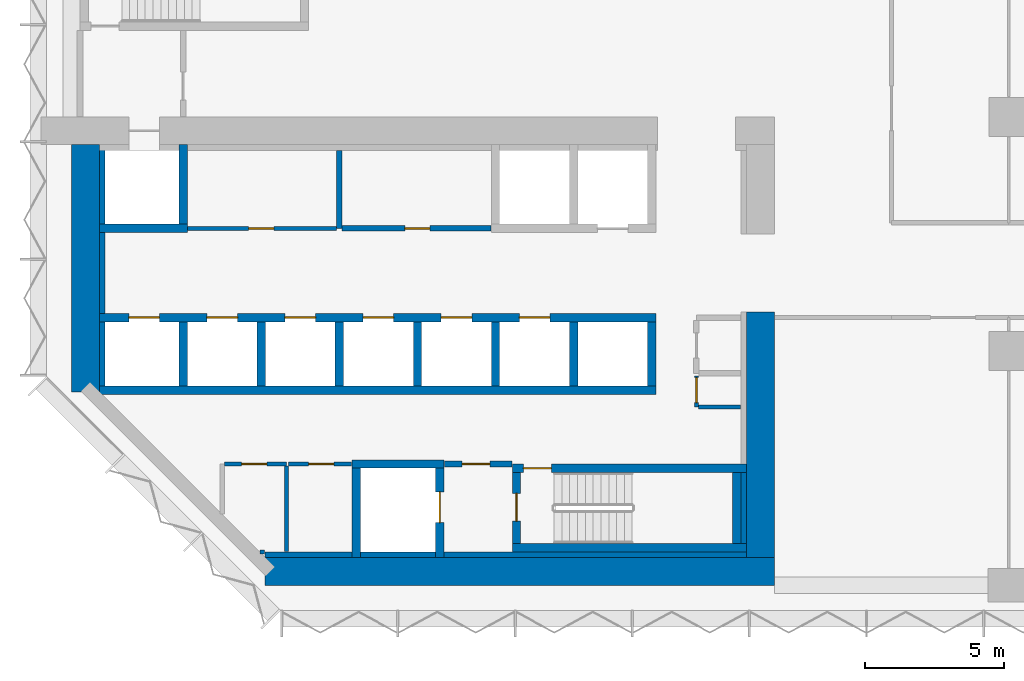
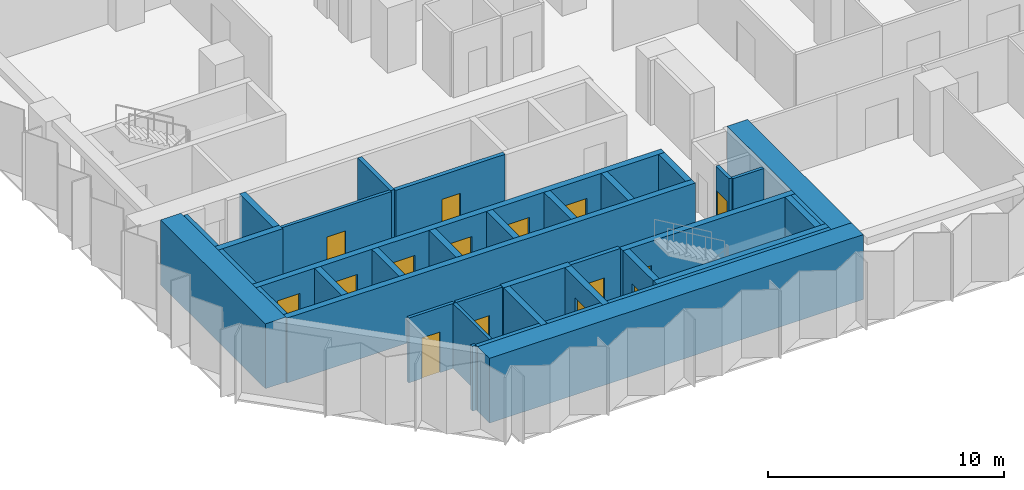
# One storey, part 7 of 15: 38 walls, 15 doors, 15 openings.
"""IFC4 building model written with IfcOpenShell, lengths in metres."""

import ifcopenshell
import ifcopenshell.guid

model = None  # the IFC model being written
_history = None  # IfcOwnerHistory: only IFC2X3 demands one
_inside = {}  # id of a spatial element -> (the spatial element, [elements in it])
_under = {}  # id of a project, library or spatial element -> (it, [spatial elements below it])
_declared = {}  # id of a project -> (the project, [libraries it declares])
_typed = {}  # id of a type object -> (the type object, [elements of that type])
_made_of = {}  # id of a material, layer set ... -> (it, [elements and type objects made of it])


def new_model(schema):
    """Start an empty IFC model of exactly this schema.

    Asked for "IFC4X3", IfcOpenShell would pick the latest addendum, in which some entities
    have other attributes; the version numbers below select the first issue.
    IFC2X3 requires an IfcOwnerHistory on every rooted entity: one is made here for all.
    """
    global model, _history
    if schema == "IFC4X3":
        model = ifcopenshell.file(schema_version=(4, 3, 0, 0))
    else:
        model = ifcopenshell.file(schema=schema)
    _inside.clear()
    _under.clear()
    _declared.clear()
    _typed.clear()
    _made_of.clear()
    _history = None
    if model.schema == "IFC2X3":
        org = make("IfcOrganization", Name="unknown")
        user = make(
            "IfcPersonAndOrganization",
            ThePerson=make("IfcPerson", FamilyName="unknown"),
            TheOrganization=org,
        )
        app = make(
            "IfcApplication",
            ApplicationDeveloper=org,
            Version="unknown",
            ApplicationFullName="unknown",
            ApplicationIdentifier="unknown",
        )
        _history = make(
            "IfcOwnerHistory",
            OwningUser=user,
            OwningApplication=app,
            ChangeAction="ADDED",
            CreationDate=0,
        )
    return model


def make(cls, **values):
    """One entity of the class cls with the attributes given. An attribute that is None is left unset."""
    return model.create_entity(
        cls, **{name: value for name, value in values.items() if value is not None}
    )


def rooted(cls, **values):
    """An entity with a GlobalId (a new one), such as an element, a storey or a relation."""
    return make(cls, GlobalId=ifcopenshell.guid.new(), OwnerHistory=_history, **values)


def si_unit(unit_type, name, prefix=None):
    """IfcSIUnit, for example si_unit("LENGTHUNIT", "METRE", prefix="MILLI")."""
    return make("IfcSIUnit", UnitType=unit_type, Prefix=prefix, Name=name)


def assignment(units):
    """IfcUnitAssignment: the units of a project."""
    return None if units is None else make("IfcUnitAssignment", Units=units)


def point(xyz):
    """IfcCartesianPoint."""
    return None if xyz is None else make("IfcCartesianPoint", Coordinates=xyz)


def direction(xyz):
    """IfcDirection."""
    return None if xyz is None else make("IfcDirection", DirectionRatios=xyz)


def frame(location, z_axis=None, x_axis=None):
    """IfcAxis2Placement3D, a coordinate frame: its origin and axes. An axis left out is left unset."""
    return make(
        "IfcAxis2Placement3D",
        Location=point(location),
        Axis=direction(z_axis),
        RefDirection=direction(x_axis),
    )


def frame_2d(location, x_axis=None):
    """IfcAxis2Placement2D, a coordinate frame in the plane: its origin and x axis."""
    return make(
        "IfcAxis2Placement2D", Location=point(location), RefDirection=direction(x_axis)
    )


def origin():
    """The frame at (0, 0, 0) with its axes left unset."""
    return frame((0.0, 0.0, 0.0))


def place(relative_to, where):
    """IfcLocalPlacement: puts the frame where relative to a parent placement (None: the world)."""
    return make(
        "IfcLocalPlacement", PlacementRelTo=relative_to, RelativePlacement=where
    )


def context(
    kind, dimensions, precision=None, world=None, true_north=None, identifier=None
):
    """IfcGeometricRepresentationContext, for example the 3D "Model" context."""
    return make(
        "IfcGeometricRepresentationContext",
        ContextIdentifier=identifier,
        ContextType=kind,
        CoordinateSpaceDimension=dimensions,
        Precision=precision,
        WorldCoordinateSystem=world,
        TrueNorth=true_north,
    )


def subcontext(parent, identifier, kind, view, scale=None):
    """IfcGeometricRepresentationSubContext, for example "Body" below "Model"."""
    return make(
        "IfcGeometricRepresentationSubContext",
        ContextIdentifier=identifier,
        ContextType=kind,
        ParentContext=parent,
        TargetScale=scale,
        TargetView=view,
    )


def project(units=None, contexts=None):
    """IfcProject with its units and contexts."""
    return rooted(
        "IfcProject",
        Name="project",
        RepresentationContexts=contexts,
        UnitsInContext=assignment(units),
    )


def spatial(cls, under=None, at=None, **own):
    """A site, building, storey or space (cls), placed at a placement, below another one or the project."""
    s = rooted(cls, ObjectPlacement=at, **own)
    if under is not None:
        _under.setdefault(under.id(), (under, []))[1].append(s)
    return s


def profile(cls, at=None, kind="AREA", **sizes):
    """A parametric profile (cls). Its sizes go by their IFC names, for example OverallWidth=200.0."""
    return make(cls, ProfileType=kind, Position=at, **sizes)


def rectangle(**sizes):
    """IfcRectangleProfileDef."""
    return profile("IfcRectangleProfileDef", **sizes)


def extrude(swept, where, along, depth):
    """IfcExtrudedAreaSolid: the profile swept, set in the frame where, extruded along a direction by depth."""
    return make(
        "IfcExtrudedAreaSolid",
        SweptArea=swept,
        Position=where,
        ExtrudedDirection=direction(along),
        Depth=depth,
    )


def shape(context_of_items, identifier, shape_type, items):
    """IfcShapeRepresentation: the items that make up one representation, for example the "Body"."""
    return make(
        "IfcShapeRepresentation",
        ContextOfItems=context_of_items,
        RepresentationIdentifier=identifier,
        RepresentationType=shape_type,
        Items=items,
    )


def material(Name=None, Category=None):
    """IfcMaterial."""
    return make("IfcMaterial", Name=Name, Category=Category)


def layer(
    of_material, thickness, ventilated=None, Name=None, Category=None, Priority=None
):
    """IfcMaterialLayer: one layer of a wall or slab, of a material (None: an air gap)."""
    return make(
        "IfcMaterialLayer",
        Material=of_material,
        LayerThickness=thickness,
        IsVentilated=ventilated,
        Name=Name,
        Category=Category,
        Priority=Priority,
    )


def layer_set(layers, Name=None):
    """IfcMaterialLayerSet."""
    return make("IfcMaterialLayerSet", MaterialLayers=layers, LayerSetName=Name)


def made_of(thing, what):
    """Note that an element or type object is made of a material, layer set ...; save() writes the relation."""
    if what is not None:
        _made_of.setdefault(what.id(), (what, []))[1].append(thing)
    return thing


def type_object(cls, material=None, **own):
    """A type object (cls), such as IfcWallType, which elements share."""
    return made_of(rooted(cls, **own), material)


def element(
    cls,
    number,
    at=None,
    inside=None,
    cuts=None,
    type_object=None,
    material=None,
    context=None,
    identifier="Body",
    shape_type=None,
    held_by="IfcProductDefinitionShape",
    body=None,
    shapes=None,
    **own,
):
    """One element of the class cls, such as IfcWall. Its Tag is "e" and its number.

    at: its placement. inside: the storey or other place that contains it. cuts: it is an
    opening in that element (IfcRelVoidsElement). A single representation is given by context,
    identifier, shape_type and body (its items); several are given by shapes. held_by: the class
    of the entity that holds the representations. save() writes the other relations.
    """
    e = rooted(cls, Tag="e%d" % number, ObjectPlacement=at, **own)
    if body is not None:
        shapes = [shape(context, identifier, shape_type, body)]
    if shapes is not None:
        e.Representation = make(held_by, Representations=shapes)
    if inside is not None:
        _inside.setdefault(inside.id(), (inside, []))[1].append(e)
    if cuts is not None:
        rooted(
            "IfcRelVoidsElement", RelatingBuildingElement=cuts, RelatedOpeningElement=e
        )
    if type_object is not None:
        _typed.setdefault(type_object.id(), (type_object, []))[1].append(e)
    return made_of(e, material)


def fill(opening, filler):
    """IfcRelFillsElement: the door or window that sits in an opening."""
    return rooted(
        "IfcRelFillsElement",
        RelatingOpeningElement=opening,
        RelatedBuildingElement=filler,
    )


def aggregate(whole, parts):
    """IfcRelAggregates: a whole, such as a stair, and the parts it consists of."""
    return rooted("IfcRelAggregates", RelatingObject=whole, RelatedObjects=parts)


def save(model, path):
    """Write the relations noted so far, then the file.

    IfcRelAggregates (storeys below a building ...), IfcRelContainedInSpatialStructure (elements
    in a storey), IfcRelDefinesByType, IfcRelAssociatesMaterial and IfcRelDeclares: one each for
    every whole, place, type object, material and project.
    """
    for whole, parts in _under.values():
        aggregate(whole, parts)
    for where, things in _inside.values():
        rooted(
            "IfcRelContainedInSpatialStructure",
            RelatedElements=things,
            RelatingStructure=where,
        )
    for kind, things in _typed.values():
        rooted("IfcRelDefinesByType", RelatedObjects=things, RelatingType=kind)
    for what, things in _made_of.values():
        rooted("IfcRelAssociatesMaterial", RelatedObjects=things, RelatingMaterial=what)
    for by, libraries in _declared.values():
        rooted("IfcRelDeclares", RelatingContext=by, RelatedDefinitions=libraries)
    model.write(path)


model = new_model("IFC4")

# Units and contexts
model_context = context("Model", 3, precision=1e-05, world=origin(), true_north=direction((0.0, 1.0)))
body_context = subcontext(model_context, "Body", "Model", "MODEL_VIEW")
ifc_project = project(units=[si_unit("LENGTHUNIT", "METRE"), si_unit("AREAUNIT", "SQUARE_METRE"), si_unit("VOLUMEUNIT", "CUBIC_METRE"), si_unit("PLANEANGLEUNIT", "RADIAN"), si_unit("MASSUNIT", "GRAM", prefix="KILO")], contexts=[model_context])

# Site, building, storey
site_placement = place(None, origin())
site = spatial("IfcSite", under=ifc_project, at=site_placement, CompositionType="ELEMENT")
building_placement = place(site_placement, origin())
building = spatial("IfcBuilding", under=site, at=building_placement, Name="Brevane Broadcast Tower", CompositionType="ELEMENT")
storey_placement = place(building_placement, frame((0.0, 0.0, 76.10009765625)))
storey = spatial("IfcBuildingStorey", under=building, at=storey_placement, Name="L17", CompositionType="ELEMENT", Elevation=76.10009765625)

# Walls
ifc_material_1 = material(Name="Concrete C32/40", Category="concrete")
ifc_layer_1 = layer(ifc_material_1, 0.199951171875)
ifc_layer_set_1 = layer_set([ifc_layer_1], Name="Core chase wall 200 mm")
wall_type_1 = type_object("IfcWallType", Name="Core chase wall 200 mm", PredefinedType="PARTITIONING", material=ifc_layer_set_1)
wall_1_placement = place(storey_placement, frame((1.10009765625, 7.14990234375, 0.0), z_axis=(0.0, 0.0, 1.0), x_axis=(0.0, 1.0, 0.0)))
element("IfcWall", 1, at=wall_1_placement, inside=storey, type_object=wall_type_1, Name="L17 chase wall LW-2-1", PredefinedType="PARTITIONING", context=body_context, shape_type="SweptSolid", body=[
    extrude(rectangle(XDim=2.300048828125, YDim=0.199951171875, at=frame_2d((1.14990234375, 0.0))), origin(), (0.0, 0.0, 1.0), 3.349853515625),
])
wall_2_placement = place(storey_placement, frame((1.10009765625, 9.75, 0.0), z_axis=(0.0, 0.0, 1.0), x_axis=(0.0, 1.0, 0.0)))
element("IfcWall", 2, at=wall_2_placement, inside=storey, type_object=wall_type_1, Name="L17 chase wall LW-2-2-1", PredefinedType="PARTITIONING", context=body_context, shape_type="SweptSolid", body=[
    extrude(rectangle(XDim=2.89990234375, YDim=0.199951171875, at=frame_2d((1.449951171875, 0.0))), origin(), (0.0, 0.0, 1.0), 3.349853515625),
])
wall_3_placement = place(storey_placement, frame((1.10009765625, 12.949951171875, 0.0), z_axis=(0.0, 0.0, 1.0), x_axis=(0.0, 1.0, 0.0)))
element("IfcWall", 3, at=wall_3_placement, inside=storey, type_object=wall_type_1, Name="L17 chase wall LW-2-2-2", PredefinedType="PARTITIONING", context=body_context, shape_type="SweptSolid", body=[
    extrude(rectangle(XDim=2.650146484375, YDim=0.199951171875, at=frame_2d((1.3251953125, 0.0))), origin(), (0.0, 0.0, 1.0), 3.349853515625),
])
wall_4_placement = place(storey_placement, frame((6.936279296875, 1.10009765625, 0.0), z_axis=(0.0, 0.0, 1.0), x_axis=(1.0, 0.0, 0.0)))
element("IfcWall", 4, at=wall_4_placement, inside=storey, type_object=wall_type_1, Name="L17 chase wall LS-1", PredefinedType="PARTITIONING", context=body_context, shape_type="SweptSolid", body=[
    extrude(rectangle(XDim=3.11376953125, YDim=0.199951171875, at=frame_2d((1.556884765625, 0.0))), origin(), (0.0, 0.0, 1.0), 3.349853515625),
])
wall_5_placement = place(storey_placement, frame((10.35009765625, 1.10009765625, 0.0), z_axis=(0.0, 0.0, 1.0), x_axis=(1.0, 0.0, 0.0)))
element("IfcWall", 5, at=wall_5_placement, inside=storey, type_object=wall_type_1, Name="L17 chase wall LS-2-1", PredefinedType="PARTITIONING", context=body_context, shape_type="SweptSolid", body=[
    extrude(rectangle(XDim=2.699951171875, YDim=0.199951171875, at=frame_2d((1.35009765625, 0.0))), origin(), (0.0, 0.0, 1.0), 3.349853515625),
])
wall_6_placement = place(storey_placement, frame((13.35009765625, 1.10009765625, 0.0), z_axis=(0.0, 0.0, 1.0), x_axis=(1.0, 0.0, 0.0)))
element("IfcWall", 6, at=wall_6_placement, inside=storey, type_object=wall_type_1, Name="L17 chase wall LS-2-2", PredefinedType="PARTITIONING", context=body_context, shape_type="SweptSolid", body=[
    extrude(rectangle(XDim=10.849853515625, YDim=0.199951171875, at=frame_2d((5.4248046875, 0.0))), origin(), (0.0, 0.0, 1.0), 3.349853515625),
])
wall_7_placement = place(storey_placement, frame((24.10009765625, 1.5, 0.0), z_axis=(0.0, 0.0, 1.0), x_axis=(0.0, 1.0, 0.0)))
element("IfcWall", 7, at=wall_7_placement, inside=storey, type_object=wall_type_1, Name="L17 chase wall LE1-2-1", PredefinedType="PARTITIONING", context=body_context, shape_type="SweptSolid", body=[
    extrude(rectangle(XDim=2.550048828125, YDim=0.199951171875, at=frame_2d((1.27490234375, 0.0))), origin(), (0.0, 0.0, 1.0), 3.349853515625),
])

# Wall, opening, door
ifc_material_2 = material(Name="Gypsum board on steel studs", Category="steel")
ifc_layer_2 = layer(ifc_material_2, 0.14990234375)
ifc_layer_set_2 = layer_set([ifc_layer_2], Name="Core fire partition 150 mm")
wall_type_2 = type_object("IfcWallType", Name="Core fire partition 150 mm", PredefinedType="PARTITIONING", material=ifc_layer_set_2)
wall_8_placement = place(storey_placement, frame((4.162109375, 12.800048828125, 0.0), z_axis=(0.0, 0.0, 1.0), x_axis=(1.0, 0.0, 0.0)))
wall_8 = element("IfcWall", 8, at=wall_8_placement, inside=storey, type_object=wall_type_2, Name="L17 partition wall P09", PredefinedType="PARTITIONING", context=body_context, shape_type="SweptSolid", body=[
    extrude(rectangle(XDim=5.337890625, YDim=0.14990234375, at=frame_2d((2.6689453125, 0.0))), origin(), (0.0, 0.0, 1.0), 3.349853515625),
])
opening_1_placement = place(wall_8_placement, frame((2.18798828125, 0.0, 0.0)))
opening_1 = element("IfcOpeningElement", 9, at=opening_1_placement, cuts=wall_8, Name="Opening L17-K21", PredefinedType="OPENING", context=body_context, shape_type="SweptSolid", body=[
    extrude(rectangle(XDim=0.89990234375, YDim=2.10009765625, at=frame_2d((0.449951171875, 1.050048828125))), frame((0.0, 0.0849609375, 0.0), z_axis=(0.0, -1.0, 0.0), x_axis=(1.0, 0.0, 0.0)), (0.0, 0.0, 1.0), 0.169921875),
])
ifc_material_3 = material(Name="Steel", Category="steel")
door_type_1 = type_object("IfcDoorType", Name="Service room door 900 x 2100", OperationType="SINGLE_SWING_LEFT", PredefinedType="DOOR", material=ifc_material_3)
door_1_placement = place(opening_1_placement, origin())
door_1 = element("IfcDoor", 10, at=door_1_placement, inside=storey, type_object=door_type_1, Name="Door L17-K21", OperationType="SINGLE_SWING_LEFT", OverallHeight=2.10009765625, OverallWidth=0.89990234375, PredefinedType="DOOR", context=body_context, shape_type="SweptSolid", body=[
    extrude(rectangle(XDim=0.89990234375, YDim=2.10009765625, at=frame_2d((0.449951171875, 1.050048828125))), frame((0.0, 0.02490234375, 0.0), z_axis=(0.0, -1.0, 0.0), x_axis=(1.0, 0.0, 0.0)), (0.0, 0.0, 1.0), 0.050048828125),
])
fill(opening_1, door_1)

wall_9_placement = place(storey_placement, frame((5.47509765625, 4.35009765625, 0.0), z_axis=(0.0, 0.0, 1.0), x_axis=(1.0, 0.0, 0.0)))
wall_9 = element("IfcWall", 11, at=wall_9_placement, inside=storey, type_object=wall_type_2, Name="L17 partition wall P11", PredefinedType="PARTITIONING", context=body_context, shape_type="SweptSolid", body=[
    extrude(rectangle(XDim=2.224853515625, YDim=0.14990234375, at=frame_2d((1.1123046875, 0.0))), origin(), (0.0, 0.0, 1.0), 3.349853515625),
])
opening_2_placement = place(wall_9_placement, frame((0.625, 0.0, 0.0)))
opening_2 = element("IfcOpeningElement", 12, at=opening_2_placement, cuts=wall_9, Name="Opening L17-K16", PredefinedType="OPENING", context=body_context, shape_type="SweptSolid", body=[
    extrude(rectangle(XDim=0.89990234375, YDim=2.10009765625, at=frame_2d((0.449951171875, 1.050048828125))), frame((0.0, 0.0849609375, 0.0), z_axis=(0.0, -1.0, 0.0), x_axis=(1.0, 0.0, 0.0)), (0.0, 0.0, 1.0), 0.169921875),
])
ifc_material_4 = material(Name="Timber", Category="wood")
door_type_2 = type_object("IfcDoorType", Name="Toilet door 900 x 2100", OperationType="SINGLE_SWING_LEFT", PredefinedType="DOOR", material=ifc_material_4)
door_2_placement = place(opening_2_placement, origin())
door_2 = element("IfcDoor", 13, at=door_2_placement, inside=storey, type_object=door_type_2, Name="Door L17-K16", OperationType="SINGLE_SWING_RIGHT", OverallHeight=2.10009765625, OverallWidth=0.89990234375, PredefinedType="DOOR", context=body_context, shape_type="SweptSolid", body=[
    extrude(rectangle(XDim=0.89990234375, YDim=2.10009765625, at=frame_2d((0.449951171875, 1.050048828125))), frame((0.0, 0.02490234375, 0.0), z_axis=(0.0, -1.0, 0.0), x_axis=(1.0, 0.0, 0.0)), (0.0, 0.0, 1.0), 0.050048828125),
])
fill(opening_2, door_2)

# Walls
wall_10_placement = place(storey_placement, frame((7.699951171875, 4.27490234375, 0.0), z_axis=(0.0, 0.0, 1.0), x_axis=(0.0, -1.0, 0.0)))
element("IfcWall", 14, at=wall_10_placement, inside=storey, type_object=wall_type_2, Name="L17 partition wall P12", PredefinedType="PARTITIONING", context=body_context, shape_type="SweptSolid", body=[
    extrude(rectangle(XDim=3.06298828125, YDim=0.14990234375, at=frame_2d((1.531494140625, 0.0))), origin(), (0.0, 0.0, 1.0), 3.349853515625),
])
wall_11_placement = place(storey_placement, frame((6.92431640625, 1.199951171875, 0.0), z_axis=(0.0, 0.0, 1.0), x_axis=(-1.0, 0.0, 0.0)))
element("IfcWall", 15, at=wall_11_placement, inside=storey, type_object=wall_type_2, Name="L17 partition wall P13", PredefinedType="PARTITIONING", context=body_context, shape_type="SweptSolid", body=[
    extrude(rectangle(XDim=0.1708984375, YDim=0.14990234375, at=frame_2d((0.08544921875, 0.0))), origin(), (0.0, 0.0, 1.0), 3.349853515625),
])

# Wall, opening, door
wall_12_placement = place(storey_placement, frame((10.0380859375, 4.35009765625, 0.0), z_axis=(0.0, 0.0, 1.0), x_axis=(-1.0, 0.0, 0.0)))
wall_12 = element("IfcWall", 16, at=wall_12_placement, inside=storey, type_object=wall_type_2, Name="L17 partition wall P14", PredefinedType="PARTITIONING", context=body_context, shape_type="SweptSolid", body=[
    extrude(rectangle(XDim=2.26318359375, YDim=0.14990234375, at=frame_2d((1.131591796875, 0.0))), origin(), (0.0, 0.0, 1.0), 3.349853515625),
])
opening_3_placement = place(wall_12_placement, frame((0.637939453125, 0.0, 0.0)))
opening_3 = element("IfcOpeningElement", 17, at=opening_3_placement, cuts=wall_12, Name="Opening L17-K17", PredefinedType="OPENING", context=body_context, shape_type="SweptSolid", body=[
    extrude(rectangle(XDim=0.89990234375, YDim=2.10009765625, at=frame_2d((0.449951171875, 1.050048828125))), frame((0.0, 0.0849609375, 0.0), z_axis=(0.0, -1.0, 0.0), x_axis=(1.0, 0.0, 0.0)), (0.0, 0.0, 1.0), 0.169921875),
])
door_3_placement = place(opening_3_placement, origin())
door_3 = element("IfcDoor", 18, at=door_3_placement, inside=storey, type_object=door_type_2, Name="Door L17-K17", OperationType="SINGLE_SWING_LEFT", OverallHeight=2.10009765625, OverallWidth=0.89990234375, PredefinedType="DOOR", context=body_context, shape_type="SweptSolid", body=[
    extrude(rectangle(XDim=0.89990234375, YDim=2.10009765625, at=frame_2d((0.449951171875, 1.050048828125))), frame((0.0, 0.02490234375, 0.0), z_axis=(0.0, -1.0, 0.0), x_axis=(1.0, 0.0, 0.0)), (0.0, 0.0, 1.0), 0.050048828125),
])
fill(opening_3, door_3)

wall_13_placement = place(storey_placement, frame((22.39990234375, 7.5, 0.0), z_axis=(0.0, 0.0, 1.0), x_axis=(0.0, -1.0, 0.0)))
wall_13 = element("IfcWall", 19, at=wall_13_placement, inside=storey, type_object=wall_type_2, Name="L17 partition wall P22", PredefinedType="PARTITIONING", context=body_context, shape_type="SweptSolid", body=[
    extrude(rectangle(XDim=1.10009765625, YDim=0.14990234375, at=frame_2d((0.550048828125, 0.0))), origin(), (0.0, 0.0, 1.0), 3.349853515625),
])
opening_4_placement = place(wall_13_placement, frame((0.050048828125, 0.0, 0.0)))
opening_4 = element("IfcOpeningElement", 20, at=opening_4_placement, cuts=wall_13, Name="Opening L17-K19", PredefinedType="OPENING", context=body_context, shape_type="SweptSolid", body=[
    extrude(rectangle(XDim=0.89990234375, YDim=2.10009765625, at=frame_2d((0.449951171875, 1.050048828125))), frame((0.0, 0.0849609375, 0.0), z_axis=(0.0, -1.0, 0.0), x_axis=(1.0, 0.0, 0.0)), (0.0, 0.0, 1.0), 0.169921875),
])
door_4_placement = place(opening_4_placement, origin())
door_4 = element("IfcDoor", 21, at=door_4_placement, inside=storey, type_object=door_type_1, Name="Door L17-K19", OperationType="SINGLE_SWING_LEFT", OverallHeight=2.10009765625, OverallWidth=0.89990234375, PredefinedType="DOOR", context=body_context, shape_type="SweptSolid", body=[
    extrude(rectangle(XDim=0.89990234375, YDim=2.10009765625, at=frame_2d((0.449951171875, 1.050048828125))), frame((0.0, 0.02490234375, 0.0), z_axis=(0.0, -1.0, 0.0), x_axis=(1.0, 0.0, 0.0)), (0.0, 0.0, 1.0), 0.050048828125),
])
fill(opening_4, door_4)

# Wall
wall_14_placement = place(storey_placement, frame((22.47509765625, 6.39990234375, 0.0), z_axis=(0.0, 0.0, 1.0), x_axis=(1.0, 0.0, 0.0)))
element("IfcWall", 22, at=wall_14_placement, inside=storey, type_object=wall_type_2, Name="L17 partition wall P23", PredefinedType="PARTITIONING", context=body_context, shape_type="SweptSolid", body=[
    extrude(rectangle(XDim=1.512939453125, YDim=0.14990234375, at=frame_2d((0.75634765625, 0.0))), origin(), (0.0, 0.0, 1.0), 3.349853515625),
])

# Wall, opening, door
ifc_layer_3 = layer(ifc_material_2, 0.199951171875)
ifc_layer_set_3 = layer_set([ifc_layer_3], Name="Core fire partition 200 mm")
wall_type_3 = type_object("IfcWallType", Name="Core fire partition 200 mm", PredefinedType="PARTITIONING", material=ifc_layer_set_3)
wall_15_placement = place(storey_placement, frame((13.362060546875, 4.35009765625, 0.0), z_axis=(0.0, 0.0, 1.0), x_axis=(1.0, 0.0, 0.0)))
wall_15 = element("IfcWall", 23, at=wall_15_placement, inside=storey, type_object=wall_type_3, Name="L17 partition wall P03", PredefinedType="PARTITIONING", context=body_context, shape_type="SweptSolid", body=[
    extrude(rectangle(XDim=2.426025390625, YDim=0.199951171875, at=frame_2d((1.212890625, 0.0))), origin(), (0.0, 0.0, 1.0), 3.349853515625),
])
opening_5_placement = place(wall_15_placement, frame((0.637939453125, 0.0, 0.0)))
opening_5 = element("IfcOpeningElement", 24, at=opening_5_placement, cuts=wall_15, Name="Opening L17-K18", PredefinedType="OPENING", context=body_context, shape_type="SweptSolid", body=[
    extrude(rectangle(XDim=1.0, YDim=2.10009765625, at=frame_2d((0.5, 1.050048828125))), frame((0.0, 0.10986328125, 0.0), z_axis=(0.0, -1.0, 0.0), x_axis=(1.0, 0.0, 0.0)), (0.0, 0.0, 1.0), 0.219970703125),
])
door_type_3 = type_object("IfcDoorType", Name="Stair door 1000 x 2100", OperationType="SINGLE_SWING_LEFT", PredefinedType="DOOR", material=ifc_material_3)
door_5_placement = place(opening_5_placement, origin())
door_5 = element("IfcDoor", 25, at=door_5_placement, inside=storey, type_object=door_type_3, Name="Door L17-K18", OperationType="SINGLE_SWING_RIGHT", OverallHeight=2.10009765625, OverallWidth=1.0, PredefinedType="DOOR", context=body_context, shape_type="SweptSolid", body=[
    extrude(rectangle(XDim=1.0, YDim=2.10009765625, at=frame_2d((0.5, 1.050048828125))), frame((0.0, 0.02490234375, 0.0), z_axis=(0.0, -1.0, 0.0), x_axis=(1.0, 0.0, 0.0)), (0.0, 0.0, 1.0), 0.050048828125),
])
fill(opening_5, door_5)

# Wall
wall_16_placement = place(storey_placement, frame((9.60009765625, 15.587890625, 0.0), z_axis=(0.0, 0.0, 1.0), x_axis=(0.0, -1.0, 0.0)))
element("IfcWall", 26, at=wall_16_placement, inside=storey, type_object=wall_type_3, Name="L17 partition wall P04", PredefinedType="PARTITIONING", context=body_context, shape_type="SweptSolid", body=[
    extrude(rectangle(XDim=2.787841796875, YDim=0.199951171875, at=frame_2d((1.39404296875, 0.0))), origin(), (0.0, 0.0, 1.0), 3.349853515625),
])

# Wall, opening, door
wall_17_placement = place(storey_placement, frame((9.699951171875, 12.800048828125, 0.0), z_axis=(0.0, 0.0, 1.0), x_axis=(1.0, 0.0, 0.0)))
wall_17 = element("IfcWall", 27, at=wall_17_placement, inside=storey, type_object=wall_type_3, Name="L17 partition wall P05", PredefinedType="PARTITIONING", context=body_context, shape_type="SweptSolid", body=[
    extrude(rectangle(XDim=5.338134765625, YDim=0.199951171875, at=frame_2d((2.6689453125, 0.0))), origin(), (0.0, 0.0, 1.0), 3.349853515625),
])
opening_6_placement = place(wall_17_placement, frame((2.25, 0.0, 0.0)))
opening_6 = element("IfcOpeningElement", 28, at=opening_6_placement, cuts=wall_17, Name="Opening L17-K22", PredefinedType="OPENING", context=body_context, shape_type="SweptSolid", body=[
    extrude(rectangle(XDim=0.89990234375, YDim=2.10009765625, at=frame_2d((0.449951171875, 1.050048828125))), frame((0.0, 0.10986328125, 0.0), z_axis=(0.0, -1.0, 0.0), x_axis=(1.0, 0.0, 0.0)), (0.0, 0.0, 1.0), 0.219970703125),
])
door_6_placement = place(opening_6_placement, origin())
door_6 = element("IfcDoor", 29, at=door_6_placement, inside=storey, type_object=door_type_1, Name="Door L17-K22", OperationType="SINGLE_SWING_RIGHT", OverallHeight=2.10009765625, OverallWidth=0.89990234375, PredefinedType="DOOR", context=body_context, shape_type="SweptSolid", body=[
    extrude(rectangle(XDim=0.89990234375, YDim=2.10009765625, at=frame_2d((0.449951171875, 1.050048828125))), frame((0.0, 0.02490234375, 0.0), z_axis=(0.0, -1.0, 0.0), x_axis=(1.0, 0.0, 0.0)), (0.0, 0.0, 1.0), 0.050048828125),
])
fill(opening_6, door_6)

# Walls
ifc_material_5 = material(Name="Concrete C80/95", Category="concrete")
ifc_layer_4 = layer(ifc_material_5, 1.0)
ifc_layer_set_4 = layer_set([ifc_layer_4], Name="Core wall 1000 mm C80/95")
wall_type_4 = type_object("IfcWallType", Name="Core wall 1000 mm C80/95", PredefinedType="SHEAR", material=ifc_layer_set_4)
wall_18_placement = place(storey_placement, frame((6.936279296875, 0.5, 0.0), z_axis=(0.0, 0.0, 1.0), x_axis=(1.0, 0.0, 0.0)))
element("IfcWall", 30, at=wall_18_placement, inside=storey, type_object=wall_type_4, Name="L17 outer wall WS", PredefinedType="SHEAR", context=body_context, shape_type="SweptSolid", body=[
    extrude(rectangle(XDim=18.263671875, YDim=1.0, at=frame_2d((9.1318359375, 0.0))), origin(), (0.0, 0.0, 1.0), 3.349853515625),
])
wall_19_placement = place(storey_placement, frame((0.5, 6.936279296875, 0.0), z_axis=(0.0, 0.0, 1.0), x_axis=(0.0, 1.0, 0.0)))
element("IfcWall", 31, at=wall_19_placement, inside=storey, type_object=wall_type_4, Name="L17 outer wall WW", PredefinedType="SHEAR", context=body_context, shape_type="SweptSolid", body=[
    extrude(rectangle(XDim=8.86376953125, YDim=1.0, at=frame_2d((4.431884765625, 0.0))), origin(), (0.0, 0.0, 1.0), 3.349853515625),
])
wall_20_placement = place(storey_placement, frame((24.699951171875, 1.0, 0.0), z_axis=(0.0, 0.0, 1.0), x_axis=(0.0, 1.0, 0.0)))
element("IfcWall", 32, at=wall_20_placement, inside=storey, type_object=wall_type_4, Name="L17 outer wall WE1", PredefinedType="SHEAR", context=body_context, shape_type="SweptSolid", body=[
    extrude(rectangle(XDim=8.800048828125, YDim=1.0, at=frame_2d((4.39990234375, 0.0))), origin(), (0.0, 0.0, 1.0), 3.349853515625),
])
ifc_layer_5 = layer(ifc_material_5, 0.300048828125)
ifc_layer_set_5 = layer_set([ifc_layer_5], Name="Core wall 300 mm C80/95")
wall_type_5 = type_object("IfcWallType", Name="Core wall 300 mm C80/95", PredefinedType="SHEAR", material=ifc_layer_set_5)
wall_21_placement = place(storey_placement, frame((1.0, 7.0, 0.0), z_axis=(0.0, 0.0, 1.0), x_axis=(1.0, 0.0, 0.0)))
element("IfcWall", 33, at=wall_21_placement, inside=storey, type_object=wall_type_5, Name="L17 shaft wall SH-S012-back", PredefinedType="SHEAR", context=body_context, shape_type="SweptSolid", body=[
    extrude(rectangle(XDim=19.949951171875, YDim=0.300048828125, at=frame_2d((9.97509765625, 0.0))), origin(), (0.0, 0.0, 1.0), 3.349853515625),
])

# Wall, openings, doors
wall_22_placement = place(storey_placement, frame((1.0, 9.60009765625, 0.0), z_axis=(0.0, 0.0, 1.0), x_axis=(1.0, 0.0, 0.0)))
wall_22 = element("IfcWall", 34, at=wall_22_placement, inside=storey, type_object=wall_type_5, Name="L17 shaft wall SH-S012-front", PredefinedType="SHEAR", context=body_context, shape_type="SweptSolid", body=[
    extrude(rectangle(XDim=19.949951171875, YDim=0.300048828125, at=frame_2d((9.97509765625, 0.0))), origin(), (0.0, 0.0, 1.0), 3.349853515625),
])
opening_7_placement = place(wall_22_placement, frame((1.050048828125, 0.0, 0.0)))
opening_7 = element("IfcOpeningElement", 35, at=opening_7_placement, cuts=wall_22, Name="Opening LD", PredefinedType="OPENING", context=body_context, shape_type="SweptSolid", body=[
    extrude(rectangle(XDim=1.10009765625, YDim=2.300048828125, at=frame_2d((0.550048828125, 1.14990234375))), frame((0.0, 0.159912109375, 0.0), z_axis=(0.0, -1.0, 0.0), x_axis=(1.0, 0.0, 0.0)), (0.0, 0.0, 1.0), 0.320068359375),
])
opening_8_placement = place(wall_22_placement, frame((3.85009765625, 0.0, 0.0)))
opening_8 = element("IfcOpeningElement", 36, at=opening_8_placement, cuts=wall_22, Name="Opening LD", PredefinedType="OPENING", context=body_context, shape_type="SweptSolid", body=[
    extrude(rectangle(XDim=1.10009765625, YDim=2.300048828125, at=frame_2d((0.550048828125, 1.14990234375))), frame((0.0, 0.159912109375, 0.0), z_axis=(0.0, -1.0, 0.0), x_axis=(1.0, 0.0, 0.0)), (0.0, 0.0, 1.0), 0.320068359375),
])
opening_9_placement = place(wall_22_placement, frame((6.64990234375, 0.0, 0.0)))
opening_9 = element("IfcOpeningElement", 37, at=opening_9_placement, cuts=wall_22, Name="Opening LD", PredefinedType="OPENING", context=body_context, shape_type="SweptSolid", body=[
    extrude(rectangle(XDim=1.10009765625, YDim=2.300048828125, at=frame_2d((0.550048828125, 1.14990234375))), frame((0.0, 0.159912109375, 0.0), z_axis=(0.0, -1.0, 0.0), x_axis=(1.0, 0.0, 0.0)), (0.0, 0.0, 1.0), 0.320068359375),
])
opening_10_placement = place(wall_22_placement, frame((9.449951171875, 0.0, 0.0)))
opening_10 = element("IfcOpeningElement", 38, at=opening_10_placement, cuts=wall_22, Name="Opening LD", PredefinedType="OPENING", context=body_context, shape_type="SweptSolid", body=[
    extrude(rectangle(XDim=1.10009765625, YDim=2.300048828125, at=frame_2d((0.550048828125, 1.14990234375))), frame((0.0, 0.159912109375, 0.0), z_axis=(0.0, -1.0, 0.0), x_axis=(1.0, 0.0, 0.0)), (0.0, 0.0, 1.0), 0.320068359375),
])
opening_11_placement = place(wall_22_placement, frame((12.25, 0.0, 0.0)))
opening_11 = element("IfcOpeningElement", 39, at=opening_11_placement, cuts=wall_22, Name="Opening LD", PredefinedType="OPENING", context=body_context, shape_type="SweptSolid", body=[
    extrude(rectangle(XDim=1.10009765625, YDim=2.300048828125, at=frame_2d((0.550048828125, 1.14990234375))), frame((0.0, 0.159912109375, 0.0), z_axis=(0.0, -1.0, 0.0), x_axis=(1.0, 0.0, 0.0)), (0.0, 0.0, 1.0), 0.320068359375),
])
opening_12_placement = place(wall_22_placement, frame((15.050048828125, 0.0, 0.0)))
opening_12 = element("IfcOpeningElement", 40, at=opening_12_placement, cuts=wall_22, Name="Opening LD", PredefinedType="OPENING", context=body_context, shape_type="SweptSolid", body=[
    extrude(rectangle(XDim=1.10009765625, YDim=2.300048828125, at=frame_2d((0.550048828125, 1.14990234375))), frame((0.0, 0.159912109375, 0.0), z_axis=(0.0, -1.0, 0.0), x_axis=(1.0, 0.0, 0.0)), (0.0, 0.0, 1.0), 0.320068359375),
])
ifc_material_6 = material(Name="Stainless steel", Category="steel")
door_type_4 = type_object("IfcDoorType", Name="Lift landing door", OperationType="SLIDING_TO_LEFT", PredefinedType="DOOR", material=ifc_material_6)
door_7_placement = place(opening_7_placement, origin())
door_7 = element("IfcDoor", 41, at=door_7_placement, inside=storey, type_object=door_type_4, Name="Landing door LR1 L17", OperationType="SLIDING_TO_LEFT", OverallHeight=2.300048828125, OverallWidth=1.10009765625, PredefinedType="DOOR", context=body_context, shape_type="SweptSolid", body=[
    extrude(rectangle(XDim=1.10009765625, YDim=2.300048828125, at=frame_2d((0.550048828125, 1.14990234375))), frame((0.0, 0.02490234375, 0.0), z_axis=(0.0, -1.0, 0.0), x_axis=(1.0, 0.0, 0.0)), (0.0, 0.0, 1.0), 0.050048828125),
])
fill(opening_7, door_7)
door_8_placement = place(opening_8_placement, origin())
door_8 = element("IfcDoor", 42, at=door_8_placement, inside=storey, type_object=door_type_4, Name="Landing door LR2 L17", OperationType="SLIDING_TO_LEFT", OverallHeight=2.300048828125, OverallWidth=1.10009765625, PredefinedType="DOOR", context=body_context, shape_type="SweptSolid", body=[
    extrude(rectangle(XDim=1.10009765625, YDim=2.300048828125, at=frame_2d((0.550048828125, 1.14990234375))), frame((0.0, 0.02490234375, 0.0), z_axis=(0.0, -1.0, 0.0), x_axis=(1.0, 0.0, 0.0)), (0.0, 0.0, 1.0), 0.050048828125),
])
fill(opening_8, door_8)
door_9_placement = place(opening_9_placement, origin())
door_9 = element("IfcDoor", 43, at=door_9_placement, inside=storey, type_object=door_type_4, Name="Landing door LR3 L17", OperationType="SLIDING_TO_LEFT", OverallHeight=2.300048828125, OverallWidth=1.10009765625, PredefinedType="DOOR", context=body_context, shape_type="SweptSolid", body=[
    extrude(rectangle(XDim=1.10009765625, YDim=2.300048828125, at=frame_2d((0.550048828125, 1.14990234375))), frame((0.0, 0.02490234375, 0.0), z_axis=(0.0, -1.0, 0.0), x_axis=(1.0, 0.0, 0.0)), (0.0, 0.0, 1.0), 0.050048828125),
])
fill(opening_9, door_9)
door_10_placement = place(opening_10_placement, origin())
door_10 = element("IfcDoor", 44, at=door_10_placement, inside=storey, type_object=door_type_4, Name="Landing door LR4 L17", OperationType="SLIDING_TO_LEFT", OverallHeight=2.300048828125, OverallWidth=1.10009765625, PredefinedType="DOOR", context=body_context, shape_type="SweptSolid", body=[
    extrude(rectangle(XDim=1.10009765625, YDim=2.300048828125, at=frame_2d((0.550048828125, 1.14990234375))), frame((0.0, 0.02490234375, 0.0), z_axis=(0.0, -1.0, 0.0), x_axis=(1.0, 0.0, 0.0)), (0.0, 0.0, 1.0), 0.050048828125),
])
fill(opening_10, door_10)
door_11_placement = place(opening_11_placement, origin())
door_11 = element("IfcDoor", 45, at=door_11_placement, inside=storey, type_object=door_type_4, Name="Landing door LR5 L17", OperationType="SLIDING_TO_LEFT", OverallHeight=2.300048828125, OverallWidth=1.10009765625, PredefinedType="DOOR", context=body_context, shape_type="SweptSolid", body=[
    extrude(rectangle(XDim=1.10009765625, YDim=2.300048828125, at=frame_2d((0.550048828125, 1.14990234375))), frame((0.0, 0.02490234375, 0.0), z_axis=(0.0, -1.0, 0.0), x_axis=(1.0, 0.0, 0.0)), (0.0, 0.0, 1.0), 0.050048828125),
])
fill(opening_11, door_11)
door_12_placement = place(opening_12_placement, origin())
door_12 = element("IfcDoor", 46, at=door_12_placement, inside=storey, type_object=door_type_4, Name="Landing door LR6 L17", OperationType="SLIDING_TO_LEFT", OverallHeight=2.300048828125, OverallWidth=1.10009765625, PredefinedType="DOOR", context=body_context, shape_type="SweptSolid", body=[
    extrude(rectangle(XDim=1.10009765625, YDim=2.300048828125, at=frame_2d((0.550048828125, 1.14990234375))), frame((0.0, 0.02490234375, 0.0), z_axis=(0.0, -1.0, 0.0), x_axis=(1.0, 0.0, 0.0)), (0.0, 0.0, 1.0), 0.050048828125),
])
fill(opening_12, door_12)

# Walls
for number, where, z_axis, x_axis, name in (
    (47, (4.0, 7.14990234375, 0.0), (0.0, 0.0, 1.0), (0.0, 1.0, 0.0), "L17 shaft wall SH-S-P040"),
    (48, (6.800048828125, 7.14990234375, 0.0), (0.0, 0.0, 1.0), (0.0, 1.0, 0.0), "L17 shaft wall SH-S-P068"),
    (49, (9.60009765625, 7.14990234375, 0.0), (0.0, 0.0, 1.0), (0.0, 1.0, 0.0), "L17 shaft wall SH-S-P096"),
    (50, (12.39990234375, 7.14990234375, 0.0), (0.0, 0.0, 1.0), (0.0, 1.0, 0.0), "L17 shaft wall SH-S-P124"),
    (51, (15.199951171875, 7.14990234375, 0.0), (0.0, 0.0, 1.0), (0.0, 1.0, 0.0), "L17 shaft wall SH-S-P152"),
    (52, (18.0, 7.14990234375, 0.0), (0.0, 0.0, 1.0), (0.0, 1.0, 0.0), "L17 shaft wall SH-S-P180"),
    (53, (20.800048828125, 7.14990234375, 0.0), (0.0, 0.0, 1.0), (0.0, 1.0, 0.0), "L17 shaft wall SH-S-P208"),
):
    element("IfcWall", number, at=place(storey_placement, frame(where, z_axis=z_axis, x_axis=x_axis)), inside=storey, type_object=wall_type_5, Name=name, PredefinedType="SHEAR", context=body_context, shape_type="SweptSolid", body=[
        extrude(rectangle(XDim=2.300048828125, YDim=0.300048828125, at=frame_2d((1.14990234375, 0.0))), origin(), (0.0, 0.0, 1.0), 3.349853515625),
    ])
wall_23_placement = place(storey_placement, frame((1.0, 12.800048828125, 0.0), z_axis=(0.0, 0.0, 1.0), x_axis=(1.0, 0.0, 0.0)))
element("IfcWall", 54, at=wall_23_placement, inside=storey, type_object=wall_type_5, Name="L17 shaft wall SH-N012-front", PredefinedType="SHEAR", context=body_context, shape_type="SweptSolid", body=[
    extrude(rectangle(XDim=3.14990234375, YDim=0.300048828125, at=frame_2d((1.574951171875, 0.0))), origin(), (0.0, 0.0, 1.0), 3.349853515625),
])
wall_24_placement = place(storey_placement, frame((4.0, 12.949951171875, 0.0), z_axis=(0.0, 0.0, 1.0), x_axis=(0.0, 1.0, 0.0)))
element("IfcWall", 55, at=wall_24_placement, inside=storey, type_object=wall_type_5, Name="L17 shaft wall SH-N-P040", PredefinedType="SHEAR", context=body_context, shape_type="SweptSolid", body=[
    extrude(rectangle(XDim=2.85009765625, YDim=0.300048828125, at=frame_2d((1.425048828125, 0.0))), origin(), (0.0, 0.0, 1.0), 3.349853515625),
])
wall_25_placement = place(storey_placement, frame((10.199951171875, 1.0, 0.0), z_axis=(0.0, 0.0, 1.0), x_axis=(0.0, 1.0, 0.0)))
element("IfcWall", 56, at=wall_25_placement, inside=storey, type_object=wall_type_5, Name="L17 shaft wall FF2-W", PredefinedType="SHEAR", context=body_context, shape_type="SweptSolid", body=[
    extrude(rectangle(XDim=3.199951171875, YDim=0.300048828125, at=frame_2d((1.60009765625, 0.0))), origin(), (0.0, 0.0, 1.0), 3.349853515625),
])

# Wall, opening, door
wall_26_placement = place(storey_placement, frame((13.199951171875, 1.0, 0.0), z_axis=(0.0, 0.0, 1.0), x_axis=(0.0, 1.0, 0.0)))
wall_26 = element("IfcWall", 57, at=wall_26_placement, inside=storey, type_object=wall_type_5, Name="L17 shaft wall FF2-E", PredefinedType="SHEAR", context=body_context, shape_type="SweptSolid", body=[
    extrude(rectangle(XDim=3.199951171875, YDim=0.300048828125, at=frame_2d((1.60009765625, 0.0))), origin(), (0.0, 0.0, 1.0), 3.349853515625),
])
opening_13_placement = place(wall_26_placement, frame((1.25, 0.0, 0.0)))
opening_13 = element("IfcOpeningElement", 58, at=opening_13_placement, cuts=wall_26, Name="Opening LD", PredefinedType="OPENING", context=body_context, shape_type="SweptSolid", body=[
    extrude(rectangle(XDim=1.10009765625, YDim=2.300048828125, at=frame_2d((0.550048828125, 1.14990234375))), frame((0.0, 0.159912109375, 0.0), z_axis=(0.0, -1.0, 0.0), x_axis=(1.0, 0.0, 0.0)), (0.0, 0.0, 1.0), 0.320068359375),
])
door_13_placement = place(opening_13_placement, origin())
door_13 = element("IfcDoor", 59, at=door_13_placement, inside=storey, type_object=door_type_4, Name="Landing door FF2 L17", OperationType="SLIDING_TO_LEFT", OverallHeight=2.300048828125, OverallWidth=1.10009765625, PredefinedType="DOOR", context=body_context, shape_type="SweptSolid", body=[
    extrude(rectangle(XDim=1.10009765625, YDim=2.300048828125, at=frame_2d((0.550048828125, 1.14990234375))), frame((0.0, 0.02490234375, 0.0), z_axis=(0.0, -1.0, 0.0), x_axis=(1.0, 0.0, 0.0)), (0.0, 0.0, 1.0), 0.050048828125),
])
fill(opening_13, door_13)

# Walls
wall_27_placement = place(storey_placement, frame((10.050048828125, 4.35009765625, 0.0), z_axis=(0.0, 0.0, 1.0), x_axis=(1.0, 0.0, 0.0)))
element("IfcWall", 60, at=wall_27_placement, inside=storey, type_object=wall_type_5, Name="L17 shaft wall FF2-N", PredefinedType="SHEAR", context=body_context, shape_type="SweptSolid", body=[
    extrude(rectangle(XDim=3.300048828125, YDim=0.300048828125, at=frame_2d((1.64990234375, 0.0))), origin(), (0.0, 0.0, 1.0), 3.349853515625),
])
wall_28_placement = place(storey_placement, frame((15.800048828125, 1.35009765625, 0.0), z_axis=(0.0, 0.0, 1.0), x_axis=(1.0, 0.0, 0.0)))
element("IfcWall", 61, at=wall_28_placement, inside=storey, type_object=wall_type_5, Name="L17 stair wall ST-2-S", PredefinedType="SHEAR", context=body_context, shape_type="SweptSolid", body=[
    extrude(rectangle(XDim=8.39990234375, YDim=0.300048828125, at=frame_2d((4.199951171875, 0.0))), origin(), (0.0, 0.0, 1.0), 3.349853515625),
])

# Wall, opening, door
wall_29_placement = place(storey_placement, frame((15.800048828125, 4.199951171875, 0.0), z_axis=(0.0, 0.0, 1.0), x_axis=(1.0, 0.0, 0.0)))
wall_29 = element("IfcWall", 62, at=wall_29_placement, inside=storey, type_object=wall_type_5, Name="L17 stair wall ST-2-N", PredefinedType="SHEAR", context=body_context, shape_type="SweptSolid", body=[
    extrude(rectangle(XDim=8.39990234375, YDim=0.300048828125, at=frame_2d((4.199951171875, 0.0))), origin(), (0.0, 0.0, 1.0), 3.349853515625),
])
opening_14_placement = place(wall_29_placement, frame((0.39990234375, 0.0, 0.0)))
opening_14 = element("IfcOpeningElement", 63, at=opening_14_placement, cuts=wall_29, Name="Opening L17-K13", PredefinedType="OPENING", context=body_context, shape_type="SweptSolid", body=[
    extrude(rectangle(XDim=1.0, YDim=2.10009765625, at=frame_2d((0.5, 1.050048828125))), frame((0.0, 0.159912109375, 0.0), z_axis=(0.0, -1.0, 0.0), x_axis=(1.0, 0.0, 0.0)), (0.0, 0.0, 1.0), 0.320068359375),
])
door_14_placement = place(opening_14_placement, origin())
door_14 = element("IfcDoor", 64, at=door_14_placement, inside=storey, type_object=door_type_3, Name="Door L17-K13", OperationType="SINGLE_SWING_LEFT", OverallHeight=2.10009765625, OverallWidth=1.0, PredefinedType="DOOR", context=body_context, shape_type="SweptSolid", body=[
    extrude(rectangle(XDim=1.0, YDim=2.10009765625, at=frame_2d((0.5, 1.050048828125))), frame((0.0, 0.02490234375, 0.0), z_axis=(0.0, -1.0, 0.0), x_axis=(1.0, 0.0, 0.0)), (0.0, 0.0, 1.0), 0.050048828125),
])
fill(opening_14, door_14)

wall_30_placement = place(storey_placement, frame((15.949951171875, 1.5, 0.0), z_axis=(0.0, 0.0, 1.0), x_axis=(0.0, 1.0, 0.0)))
wall_30 = element("IfcWall", 65, at=wall_30_placement, inside=storey, type_object=wall_type_5, Name="L17 stair wall ST-2-W", PredefinedType="SHEAR", context=body_context, shape_type="SweptSolid", body=[
    extrude(rectangle(XDim=2.550048828125, YDim=0.300048828125, at=frame_2d((1.27490234375, 0.0))), origin(), (0.0, 0.0, 1.0), 3.349853515625),
])
opening_15_placement = place(wall_30_placement, frame((0.800048828125, 0.0, 0.0)))
opening_15 = element("IfcOpeningElement", 66, at=opening_15_placement, cuts=wall_30, Name="Opening L17-K12", PredefinedType="OPENING", context=body_context, shape_type="SweptSolid", body=[
    extrude(rectangle(XDim=1.0, YDim=2.10009765625, at=frame_2d((0.5, 1.050048828125))), frame((0.0, 0.159912109375, 0.0), z_axis=(0.0, -1.0, 0.0), x_axis=(1.0, 0.0, 0.0)), (0.0, 0.0, 1.0), 0.320068359375),
])
door_15_placement = place(opening_15_placement, origin())
door_15 = element("IfcDoor", 67, at=door_15_placement, inside=storey, type_object=door_type_3, Name="Door L17-K12", OperationType="SINGLE_SWING_RIGHT", OverallHeight=2.10009765625, OverallWidth=1.0, PredefinedType="DOOR", context=body_context, shape_type="SweptSolid", body=[
    extrude(rectangle(XDim=1.0, YDim=2.10009765625, at=frame_2d((0.5, 1.050048828125))), frame((0.0, 0.02490234375, 0.0), z_axis=(0.0, -1.0, 0.0), x_axis=(1.0, 0.0, 0.0)), (0.0, 0.0, 1.0), 0.050048828125),
])
fill(opening_15, door_15)

# Wall
wall_31_placement = place(storey_placement, frame((23.85009765625, 1.5, 0.0), z_axis=(0.0, 0.0, 1.0), x_axis=(0.0, 1.0, 0.0)))
element("IfcWall", 68, at=wall_31_placement, inside=storey, type_object=wall_type_5, Name="L17 stair wall ST-2-E", PredefinedType="SHEAR", context=body_context, shape_type="SweptSolid", body=[
    extrude(rectangle(XDim=2.550048828125, YDim=0.300048828125, at=frame_2d((1.27490234375, 0.0))), origin(), (0.0, 0.0, 1.0), 3.349853515625),
])

save(model, "model.ifc")
